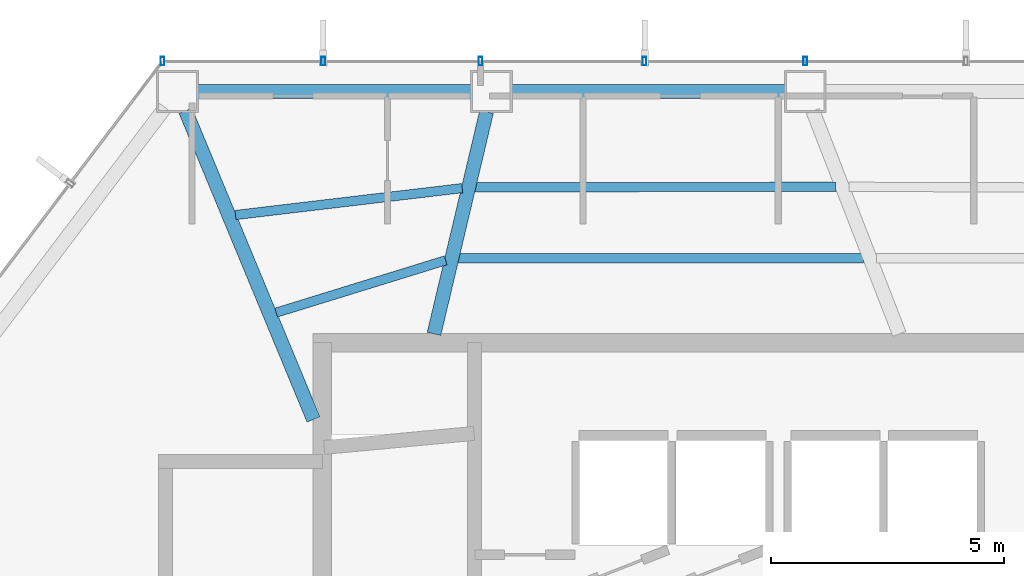
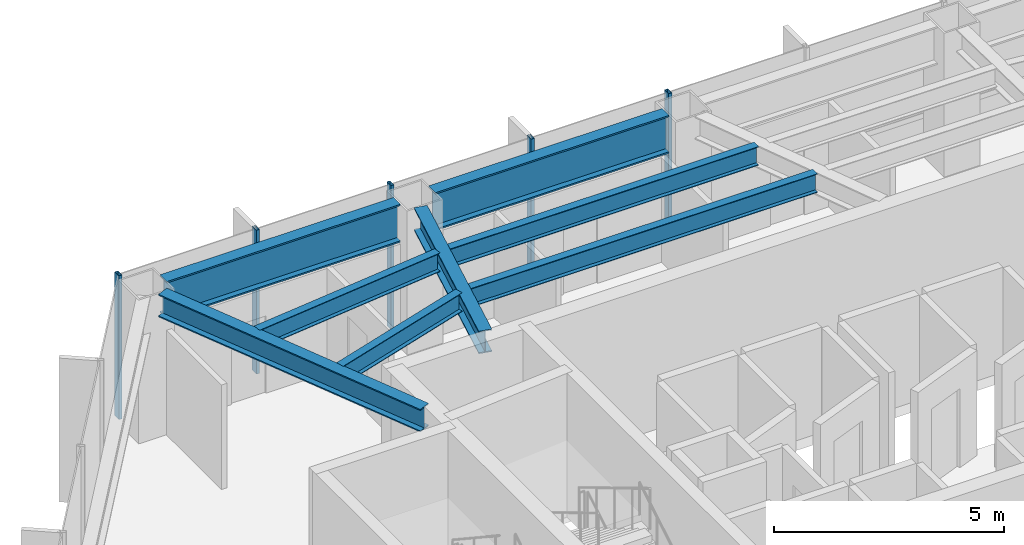
# One storey, part 11 of 24: 8 beams, 5 members, 1 element without a shape of its own.
"""IFC4 building model written with IfcOpenShell, lengths in metres."""

from ifc_helpers import new_model, si_unit, direction, frame, origin, origin_2d, place, context, subcontext, project, spatial, hollow_rectangle, i_section, extrude, material, layer, layer_set, material_profile, profile_set, type_object, element, aggregate, save


model = new_model("IFC4")

# Units and contexts
model_context = context("Model", 3, precision=1e-05, world=origin(), true_north=direction((0.0, 1.0)))
body_context = subcontext(model_context, "Body", "Model", "MODEL_VIEW")
ifc_project = project(units=[si_unit("LENGTHUNIT", "METRE"), si_unit("AREAUNIT", "SQUARE_METRE"), si_unit("VOLUMEUNIT", "CUBIC_METRE"), si_unit("PLANEANGLEUNIT", "RADIAN"), si_unit("MASSUNIT", "GRAM", prefix="KILO")], contexts=[model_context])

# Site, building, storey
site_placement = place(None, origin())
site = spatial("IfcSite", under=ifc_project, at=site_placement, CompositionType="ELEMENT")
building_placement = place(site_placement, origin())
building = spatial("IfcBuilding", under=site, at=building_placement, Name="Zarrinselat Tower", CompositionType="ELEMENT")
storey_placement = place(building_placement, frame((0.0, 0.0, 96.89990234375)))
storey = spatial("IfcBuildingStorey", under=building, at=storey_placement, Name="L23", CompositionType="ELEMENT", Elevation=96.89990234375)

# Beams
ifc_material_1 = material(Name="Steel S355J2", Category="steel")
ifc_material_profile_1 = material_profile(ifc_material_1, i_section(OverallWidth=0.300048828125, OverallDepth=0.60009765625, WebThickness=0.015380859375, FlangeThickness=0.030029296875, at=origin_2d()), Name="HEB 600")
ifc_profile_set_1 = profile_set([ifc_material_profile_1], Name="Steel S355J2")
beam_type_1 = type_object("IfcBeamType", Name="BM-HEB600", PredefinedType="BEAM", material=ifc_profile_set_1)
beam_1_placement = place(storey_placement, frame((31.0, 43.639892578125, 3.52001953125), z_axis=(0.23024671518, 0.973132288103, 0.0), x_axis=(-0.973132288103, 0.23024671518, 0.0)))
element("IfcBeam", 1, at=beam_1_placement, inside=storey, type_object=beam_type_1, Name="L23 Radial Primary Girder RG04", PredefinedType="BEAM", context=body_context, shape_type="SweptSolid", body=[
    extrude(i_section(OverallWidth=0.300048828125, OverallDepth=0.60009765625, WebThickness=0.015380859375, FlangeThickness=0.030029296875, at=origin_2d()), origin(), (0.0, 0.0, 1.0), 4.90185546875),
])
beam_2_placement = place(storey_placement, frame((25.65966796875, 48.4326171875, 3.52001953125), z_axis=(0.383033421719, -0.923734484496, 0.0), x_axis=(0.923734484496, 0.383033421719, 0.0)))
element("IfcBeam", 2, at=beam_2_placement, inside=storey, type_object=beam_type_1, Name="L23 Radial Primary Girder RG05", PredefinedType="BEAM", context=body_context, shape_type="SweptSolid", body=[
    extrude(i_section(OverallWidth=0.300048828125, OverallDepth=0.60009765625, WebThickness=0.015380859375, FlangeThickness=0.030029296875, at=origin_2d()), origin(), (0.0, 0.0, 1.0), 7.18017578125),
])
ifc_material_2 = material(Name="Steel S460M", Category="steel")
ifc_material_profile_2 = material_profile(ifc_material_2, i_section(OverallWidth=0.302001953125, OverallDepth=1.008056640625, WebThickness=0.02099609375, FlangeThickness=0.0400390625, at=origin_2d()), Name="HEM 1000")
ifc_profile_set_2 = profile_set([ifc_material_profile_2], Name="Steel S460M")
beam_type_2 = type_object("IfcBeamType", Name="BM-HEM1000", PredefinedType="BEAM", material=ifc_profile_set_2)
beam_3_placement = place(storey_placement, frame((32.6708984375, 48.85009765625, 3.316162109375), z_axis=(1.0, 0.0, 0.0), x_axis=(0.0, 1.0, 0.0)))
element("IfcBeam", 3, at=beam_3_placement, inside=storey, type_object=beam_type_2, Name="L23 Perimeter Spandrel Girder SP03", PredefinedType="BEAM", context=body_context, shape_type="SweptSolid", body=[
    extrude(i_section(OverallWidth=0.302001953125, OverallDepth=1.008056640625, WebThickness=0.02099609375, FlangeThickness=0.0400390625, at=origin_2d()), origin(), (0.0, 0.0, 1.0), 5.8701171875),
])
beam_4_placement = place(storey_placement, frame((25.924560546875, 48.85009765625, 3.316162109375), z_axis=(1.0, 0.0, 0.0), x_axis=(0.0, 1.0, 0.0)))
element("IfcBeam", 4, at=beam_4_placement, inside=storey, type_object=beam_type_2, Name="L23 Perimeter Spandrel Girder SP04", PredefinedType="BEAM", context=body_context, shape_type="SweptSolid", body=[
    extrude(i_section(OverallWidth=0.302001953125, OverallDepth=1.008056640625, WebThickness=0.02099609375, FlangeThickness=0.0400390625, at=origin_2d()), origin(), (0.0, 0.0, 1.0), 5.870361328125),
])
ifc_material_3 = material(Name="Steel S355J2", Category="steel")
ifc_material_profile_3 = material_profile(ifc_material_3, i_section(OverallWidth=0.199951171875, OverallDepth=0.5, WebThickness=0.01025390625, FlangeThickness=0.01611328125, at=origin_2d()), Name="IPE 500")
ifc_profile_set_3 = profile_set([ifc_material_profile_3], Name="Steel S355J2")
beam_type_3 = type_object("IfcBeamType", Name="BM-IPE500", PredefinedType="JOIST", material=ifc_profile_set_3)
beam_5_placement = place(storey_placement, frame((31.885009765625, 46.78857421875, 3.570068359375), z_axis=(0.999998856495, 0.001512285605, 0.0), x_axis=(-0.001512285605, 0.999998856495, 0.0)))
element("IfcBeam", 5, at=beam_5_placement, inside=storey, type_object=beam_type_3, Name="L23 Composite Floor Joist 8-1", PredefinedType="JOIST", context=body_context, shape_type="SweptSolid", body=[
    extrude(i_section(OverallWidth=0.199951171875, OverallDepth=0.5, WebThickness=0.01025390625, FlangeThickness=0.01611328125, at=origin_2d()), origin(), (0.0, 0.0, 1.0), 7.7490234375),
])
beam_6_placement = place(storey_placement, frame((31.523681640625, 45.261962890625, 3.570068359375), z_axis=(0.999999754185, 0.00070116376, 0.0), x_axis=(-0.00070116376, 0.999999754185, 0.0)))
element("IfcBeam", 6, at=beam_6_placement, inside=storey, type_object=beam_type_3, Name="L23 Composite Floor Joist 8-2", PredefinedType="JOIST", context=body_context, shape_type="SweptSolid", body=[
    extrude(i_section(OverallWidth=0.199951171875, OverallDepth=0.5, WebThickness=0.01025390625, FlangeThickness=0.01611328125, at=origin_2d()), origin(), (0.0, 0.0, 1.0), 8.704833984375),
])
beam_7_placement = place(storey_placement, frame((26.73388671875, 46.19384765625, 3.570068359375), z_axis=(0.993039083992, 0.117785303258, 0.0), x_axis=(-0.117785303258, 0.993039083992, 0.0)))
element("IfcBeam", 7, at=beam_7_placement, inside=storey, type_object=beam_type_3, Name="L23 Composite Floor Joist 9-1", PredefinedType="JOIST", context=body_context, shape_type="SweptSolid", body=[
    extrude(i_section(OverallWidth=0.199951171875, OverallDepth=0.5, WebThickness=0.01025390625, FlangeThickness=0.01611328125, at=origin_2d()), origin(), (0.0, 0.0, 1.0), 4.90625),
])
beam_8_placement = place(storey_placement, frame((27.608642578125, 44.09619140625, 3.570068359375), z_axis=(0.955494609773, 0.295008560376, 0.0), x_axis=(-0.295008560376, 0.955494609773, 0.0)))
element("IfcBeam", 8, at=beam_8_placement, inside=storey, type_object=beam_type_3, Name="L23 Composite Floor Joist 9-2", PredefinedType="JOIST", context=body_context, shape_type="SweptSolid", body=[
    extrude(i_section(OverallWidth=0.199951171875, OverallDepth=0.5, WebThickness=0.01025390625, FlangeThickness=0.01611328125, at=origin_2d()), origin(), (0.0, 0.0, 1.0), 3.81103515625),
])

# Curtain wall, members
ifc_material_4 = material(Name="Extruded Aluminium Alloy EN AW-6063 T6", Category="aluminium")
ifc_layer = layer(ifc_material_4, 0.18505859375)
ifc_layer_set = layer_set([ifc_layer], Name="Extruded Aluminium Alloy EN AW-6063 T6")
curtain_wall_type = type_object("IfcCurtainWallType", Name="CWS-OFF", PredefinedType="NOTDEFINED", material=ifc_layer_set)
curtain_wall_placement = place(storey_placement, origin())
curtain_wall = element("IfcCurtainWall", 9, at=curtain_wall_placement, inside=storey, type_object=curtain_wall_type, Name="L23 Unitised Curtain Wall CW-L23-E01", PredefinedType="NOTDEFINED")
ifc_material_5 = material(Name="Extruded Aluminium Alloy EN AW-6063 T6", Category="aluminium")
ifc_material_profile_4 = material_profile(ifc_material_5, hollow_rectangle(XDim=0.080078125, YDim=0.179931640625, WallThickness=0.0048828125, at=origin_2d()), Name="RHS 180x80x5")
ifc_profile_set_4 = profile_set([ifc_material_profile_4], Name="Extruded Aluminium Alloy EN AW-6063 T6")
member_type = type_object("IfcMemberType", Name="MEM-CW-MUL", PredefinedType="MULLION", material=ifc_profile_set_4)
member_1_placement = place(storey_placement, frame((38.97900390625, 49.5, 0.0), z_axis=(0.0, 0.0, 1.0), x_axis=(-1.0, 0.0, 0.0)))
member_1 = element("IfcMember", 10, at=member_1_placement, type_object=member_type, Name="CW-L23-E01 Mullion 4", PredefinedType="MULLION", context=body_context, shape_type="SweptSolid", body=[
    extrude(hollow_rectangle(XDim=0.080078125, YDim=0.179931640625, WallThickness=0.0048828125, at=origin_2d()), origin(), (0.0, 0.0, 1.0), 3.820068359375),
])
member_2_placement = place(storey_placement, frame((35.525146484375, 49.5, 0.0), z_axis=(0.0, 0.0, 1.0), x_axis=(-1.0, 0.0, 0.0)))
member_2 = element("IfcMember", 11, at=member_2_placement, type_object=member_type, Name="CW-L23-E01 Mullion 5", PredefinedType="MULLION", context=body_context, shape_type="SweptSolid", body=[
    extrude(hollow_rectangle(XDim=0.080078125, YDim=0.179931640625, WallThickness=0.0048828125, at=origin_2d()), origin(), (0.0, 0.0, 1.0), 3.820068359375),
])
member_3_placement = place(storey_placement, frame((32.0, 49.5, 0.0), z_axis=(0.0, 0.0, 1.0), x_axis=(-1.0, 0.0, 0.0)))
member_3 = element("IfcMember", 12, at=member_3_placement, type_object=member_type, Name="CW-L23-E01 Mullion 6", PredefinedType="MULLION", context=body_context, shape_type="SweptSolid", body=[
    extrude(hollow_rectangle(XDim=0.080078125, YDim=0.179931640625, WallThickness=0.0048828125, at=origin_2d()), origin(), (0.0, 0.0, 1.0), 3.820068359375),
])
member_4_placement = place(storey_placement, frame((28.617431640625, 49.5, 0.0), z_axis=(0.0, 0.0, 1.0), x_axis=(-1.0, 0.0, 0.0)))
member_4 = element("IfcMember", 13, at=member_4_placement, type_object=member_type, Name="CW-L23-E01 Mullion 7", PredefinedType="MULLION", context=body_context, shape_type="SweptSolid", body=[
    extrude(hollow_rectangle(XDim=0.080078125, YDim=0.179931640625, WallThickness=0.0048828125, at=origin_2d()), origin(), (0.0, 0.0, 1.0), 3.820068359375),
])
member_5_placement = place(storey_placement, frame((25.16357421875, 49.5, 0.0), z_axis=(0.0, 0.0, 1.0), x_axis=(-1.0, 0.0, 0.0)))
member_5 = element("IfcMember", 14, at=member_5_placement, type_object=member_type, Name="CW-L23-E01 Mullion 8", PredefinedType="MULLION", context=body_context, shape_type="SweptSolid", body=[
    extrude(hollow_rectangle(XDim=0.080078125, YDim=0.179931640625, WallThickness=0.0048828125, at=origin_2d()), origin(), (0.0, 0.0, 1.0), 3.820068359375),
])
aggregate(curtain_wall, [member_1, member_2, member_3, member_4, member_5])

save(model, "model.ifc")
